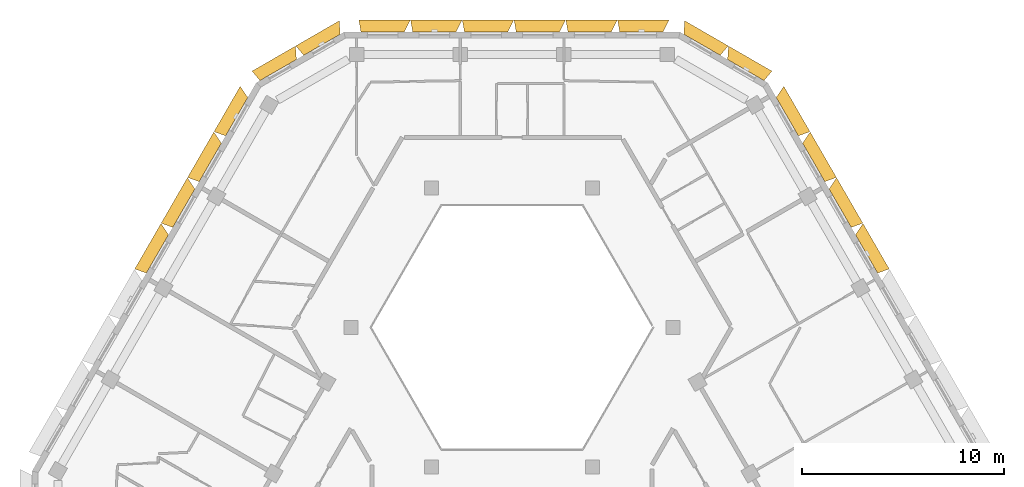
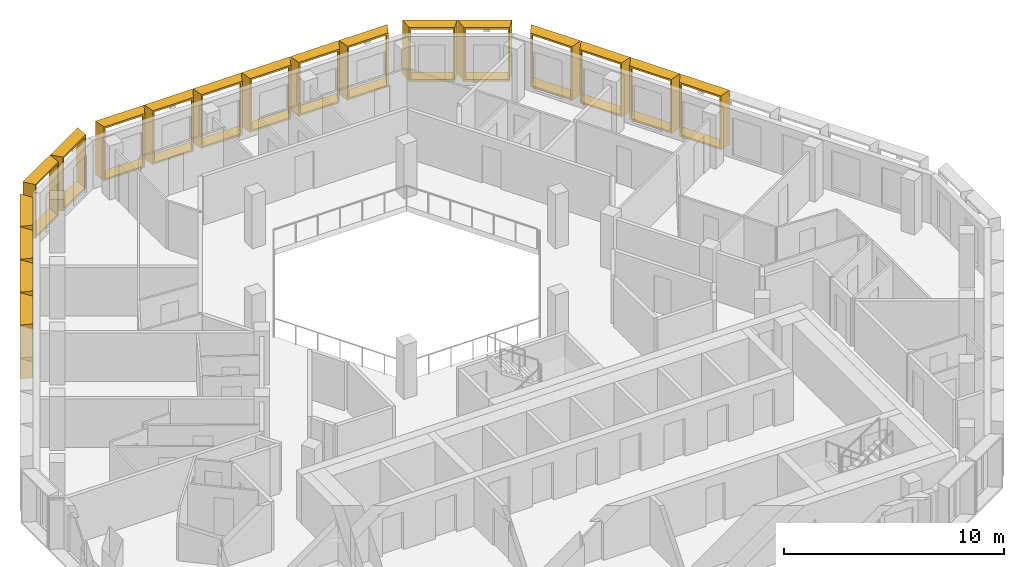
# One storey, part 16 of 16: 18 shading devices.
"""IFC4 building model written with IfcOpenShell, lengths in metres."""

from ifc_helpers import new_model, entity, si_unit, direction, frame, origin, place, context, subcontext, project, spatial, source, transform, mapped, material, type_object, type_shapes, element, save


model = new_model("IFC4")

# Units and contexts
model_context = context("Model", 3, precision=1e-05, world=origin(), true_north=direction((0.0, 1.0)))
body_context = subcontext(model_context, "Body", "Model", "MODEL_VIEW")
ifc_project = project(units=[si_unit("LENGTHUNIT", "METRE"), si_unit("AREAUNIT", "SQUARE_METRE"), si_unit("VOLUMEUNIT", "CUBIC_METRE"), si_unit("PLANEANGLEUNIT", "RADIAN"), si_unit("MASSUNIT", "GRAM", prefix="KILO")], contexts=[model_context])

# Site, building, storey
site_placement = place(None, origin())
site = spatial("IfcSite", under=ifc_project, at=site_placement, CompositionType="ELEMENT")
building_placement = place(site_placement, origin())
building = spatial("IfcBuilding", under=site, at=building_placement, Name="Beryl Residences", CompositionType="ELEMENT")
storey_placement = place(building_placement, frame((0.0, 0.0, 208.800048828125)))
storey = spatial("IfcBuildingStorey", under=building, at=storey_placement, Name="L64", CompositionType="ELEMENT", Elevation=208.800048828125)

# Shading devices
ifc_material_1 = material(Name="Aluminium pale anodised", Category="aluminium")
shading_device_type_1 = type_object("IfcShadingDeviceType", Name="FR250-60B OUTER SKIN frame 600 mm deep, splay 26/10 deg, 2500 x 3000 mm cell", PredefinedType="USERDEFINED", material=ifc_material_1)
cartesian_point_1 = entity("IfcCartesianPoint", [-1.04052734375, 0.0])
cartesian_point_2 = entity("IfcCartesianPoint", [-0.951416015625, 0.10009765625])
cartesian_point_3 = entity("IfcCartesianPoint", [-1.333251953125, 0.0])
cartesian_point_4 = entity("IfcCartesianPoint", [-1.244140625, 0.10009765625])
shared_shape_1 = source(origin(), body_context, "Body", "SweptSolid", [
    entity("IfcExtrudedAreaSolidTapered", entity("IfcArbitraryProfileDefWithVoids", "AREA", None, entity("IfcPolyline", [cartesian_point_1, entity("IfcCartesianPoint", [1.04052734375, 0.0]), entity("IfcCartesianPoint", [1.04052734375, 3.0]), entity("IfcCartesianPoint", [-1.04052734375, 3.0]), cartesian_point_1]), [entity("IfcPolyline", [cartesian_point_2, entity("IfcCartesianPoint", [0.959228515625, 0.10009765625]), entity("IfcCartesianPoint", [0.959228515625, 2.89990234375]), entity("IfcCartesianPoint", [-0.951416015625, 2.89990234375]), cartesian_point_2])]), entity("IfcAxis2Placement3D", entity("IfcCartesianPoint", [0.0, 0.0, 0.0]), entity("IfcDirection", [0.0, 1.0, 0.0]), entity("IfcDirection", [-1.0, 0.0, 0.0])), entity("IfcDirection", [0.0, 0.0, 1.0]), 0.60009765625, entity("IfcArbitraryProfileDefWithVoids", "AREA", None, entity("IfcPolyline", [cartesian_point_3, entity("IfcCartesianPoint", [1.146240234375, 0.0]), entity("IfcCartesianPoint", [1.146240234375, 3.0]), entity("IfcCartesianPoint", [-1.333251953125, 3.0]), cartesian_point_3]), [entity("IfcPolyline", [cartesian_point_4, entity("IfcCartesianPoint", [1.06494140625, 0.10009765625]), entity("IfcCartesianPoint", [1.06494140625, 2.89990234375]), entity("IfcCartesianPoint", [-1.244140625, 2.89990234375]), cartesian_point_4])])),
])
type_shapes(shading_device_type_1, [shared_shape_1])
for number, where, z_axis, x_axis, name in (
    (1, (-9.39599609375, 21.97509765625, 0.0), (0.0, 0.0, 1.0), (0.866025403784, 0.5, 0.0), "FR250-60B frame L64 N-NW 1"),
    (2, (-11.56103515625, 20.72509765625, 0.0), (0.0, 0.0, 1.0), (0.866025403784, 0.5, 0.0), "FR250-60B frame L64 N-NW 2"),
):
    element("IfcShadingDevice", number, at=place(storey_placement, frame(where, z_axis=z_axis, x_axis=x_axis)), inside=storey, type_object=shading_device_type_1, Name=name, ObjectType="OUTER SKIN", PredefinedType="USERDEFINED", context=body_context, shape_type="MappedRepresentation", body=[
        mapped(shared_shape_1, transform((0.0, 0.0, 0.0))),
    ])
ifc_material_2 = material(Name="Aluminium pale anodised", Category="aluminium")
shading_device_type_2 = type_object("IfcShadingDeviceType", Name="FR250-60C OUTER SKIN frame 600 mm deep, splay 10/26 deg, 2500 x 3000 mm cell", PredefinedType="USERDEFINED", material=ifc_material_2)
cartesian_point_5 = entity("IfcCartesianPoint", [-1.04052734375, 0.0])
cartesian_point_6 = entity("IfcCartesianPoint", [-0.959228515625, 0.10009765625])
cartesian_point_7 = entity("IfcCartesianPoint", [-1.146240234375, 0.0])
cartesian_point_8 = entity("IfcCartesianPoint", [-1.06494140625, 0.10009765625])
shared_shape_2 = source(origin(), body_context, "Body", "SweptSolid", [
    entity("IfcExtrudedAreaSolidTapered", entity("IfcArbitraryProfileDefWithVoids", "AREA", None, entity("IfcPolyline", [cartesian_point_5, entity("IfcCartesianPoint", [1.04052734375, 0.0]), entity("IfcCartesianPoint", [1.04052734375, 3.0]), entity("IfcCartesianPoint", [-1.04052734375, 3.0]), cartesian_point_5]), [entity("IfcPolyline", [cartesian_point_6, entity("IfcCartesianPoint", [0.951416015625, 0.10009765625]), entity("IfcCartesianPoint", [0.951416015625, 2.89990234375]), entity("IfcCartesianPoint", [-0.959228515625, 2.89990234375]), cartesian_point_6])]), entity("IfcAxis2Placement3D", entity("IfcCartesianPoint", [0.0, 0.0, 0.0]), entity("IfcDirection", [0.0, 1.0, 0.0]), entity("IfcDirection", [-1.0, 0.0, 0.0])), entity("IfcDirection", [0.0, 0.0, 1.0]), 0.60009765625, entity("IfcArbitraryProfileDefWithVoids", "AREA", None, entity("IfcPolyline", [cartesian_point_7, entity("IfcCartesianPoint", [1.333251953125, 0.0]), entity("IfcCartesianPoint", [1.333251953125, 3.0]), entity("IfcCartesianPoint", [-1.146240234375, 3.0]), cartesian_point_7]), [entity("IfcPolyline", [cartesian_point_8, entity("IfcCartesianPoint", [1.244140625, 0.10009765625]), entity("IfcCartesianPoint", [1.244140625, 2.89990234375]), entity("IfcCartesianPoint", [-1.06494140625, 2.89990234375]), cartesian_point_8])])),
])
type_shapes(shading_device_type_2, [shared_shape_2])
for number, where, z_axis, x_axis, name in (
    (3, (11.56103515625, 20.72509765625, 0.0), (0.0, 0.0, 1.0), (0.866025403784, -0.5, 0.0), "FR250-60C frame L64 NE-N 1"),
    (4, (9.39599609375, 21.97509765625, 0.0), (0.0, 0.0, 1.0), (0.866025403784, -0.5, 0.0), "FR250-60C frame L64 NE-N 2"),
):
    element("IfcShadingDevice", number, at=place(storey_placement, frame(where, z_axis=z_axis, x_axis=x_axis)), inside=storey, type_object=shading_device_type_2, Name=name, ObjectType="OUTER SKIN", PredefinedType="USERDEFINED", context=body_context, shape_type="MappedRepresentation", body=[
        mapped(shared_shape_2, transform((0.0, 0.0, 0.0))),
    ])
ifc_material_3 = material(Name="Aluminium pale anodised", Category="aluminium")
shading_device_type_3 = type_object("IfcShadingDeviceType", Name="FR256-60B OUTER SKIN frame 600 mm deep, splay 26/10 deg, 2560 x 3000 mm cell", PredefinedType="USERDEFINED", material=ifc_material_3)
cartesian_point_9 = entity("IfcCartesianPoint", [-1.070556640625, 0.0])
cartesian_point_10 = entity("IfcCartesianPoint", [-0.9814453125, 0.10009765625])
cartesian_point_11 = entity("IfcCartesianPoint", [-1.363037109375, 0.0])
cartesian_point_12 = entity("IfcCartesianPoint", [-1.274169921875, 0.10009765625])
shared_shape_3 = source(origin(), body_context, "Body", "SweptSolid", [
    entity("IfcExtrudedAreaSolidTapered", entity("IfcArbitraryProfileDefWithVoids", "AREA", None, entity("IfcPolyline", [cartesian_point_9, entity("IfcCartesianPoint", [1.070556640625, 0.0]), entity("IfcCartesianPoint", [1.070556640625, 3.0]), entity("IfcCartesianPoint", [-1.070556640625, 3.0]), cartesian_point_9]), [entity("IfcPolyline", [cartesian_point_10, entity("IfcCartesianPoint", [0.9892578125, 0.10009765625]), entity("IfcCartesianPoint", [0.9892578125, 2.89990234375]), entity("IfcCartesianPoint", [-0.9814453125, 2.89990234375]), cartesian_point_10])]), entity("IfcAxis2Placement3D", entity("IfcCartesianPoint", [0.0, 0.0, 0.0]), entity("IfcDirection", [0.0, 1.0, 0.0]), entity("IfcDirection", [-1.0, 0.0, 0.0])), entity("IfcDirection", [0.0, 0.0, 1.0]), 0.60009765625, entity("IfcArbitraryProfileDefWithVoids", "AREA", None, entity("IfcPolyline", [cartesian_point_11, entity("IfcCartesianPoint", [1.17626953125, 0.0]), entity("IfcCartesianPoint", [1.17626953125, 3.0]), entity("IfcCartesianPoint", [-1.363037109375, 3.0]), cartesian_point_11]), [entity("IfcPolyline", [cartesian_point_12, entity("IfcCartesianPoint", [1.094970703125, 0.10009765625]), entity("IfcCartesianPoint", [1.094970703125, 2.89990234375]), entity("IfcCartesianPoint", [-1.274169921875, 2.89990234375]), cartesian_point_12])])),
])
type_shapes(shading_device_type_3, [shared_shape_3])
for number, where, z_axis, x_axis, name in (
    (5, (6.39892578125, 22.60009765625, 0.0), (0.0, 0.0, 1.0), (1.0, 0.0, 0.0), "FR256-60B frame L64 N 1"),
    (6, (3.840087890625, 22.60009765625, 0.0), (0.0, 0.0, 1.0), (1.0, 0.0, 0.0), "FR256-60B frame L64 N 2"),
    (7, (1.280029296875, 22.60009765625, 0.0), (0.0, 0.0, 1.0), (1.0, 0.0, 0.0), "FR256-60B frame L64 N 3"),
    (8, (-1.279052734375, 22.60009765625, 0.0), (0.0, 0.0, 1.0), (1.0, 0.0, 0.0), "FR256-60B frame L64 N 4"),
    (9, (-3.839111328125, 22.60009765625, 0.0), (0.0, 0.0, 1.0), (1.0, 0.0, 0.0), "FR256-60B frame L64 N 5"),
    (10, (-6.39794921875, 22.60009765625, 0.0), (0.0, 0.0, 1.0), (1.0, 0.0, 0.0), "FR256-60B frame L64 N 6"),
):
    element("IfcShadingDevice", number, at=place(storey_placement, frame(where, z_axis=z_axis, x_axis=x_axis)), inside=storey, type_object=shading_device_type_3, Name=name, ObjectType="OUTER SKIN", PredefinedType="USERDEFINED", context=body_context, shape_type="MappedRepresentation", body=[
        mapped(shared_shape_3, transform((0.0, 0.0, 0.0))),
    ])
ifc_material_4 = material(Name="Aluminium pale anodised", Category="aluminium")
shading_device_type_4 = type_object("IfcShadingDeviceType", Name="FR261-60B OUTER SKIN frame 600 mm deep, splay 26/10 deg, 2610 x 3000 mm cell", PredefinedType="USERDEFINED", material=ifc_material_4)
cartesian_point_13 = entity("IfcCartesianPoint", [-1.095458984375, 0.0])
cartesian_point_14 = entity("IfcCartesianPoint", [-1.006591796875, 0.10009765625])
cartesian_point_15 = entity("IfcCartesianPoint", [-1.38818359375, 0.0])
cartesian_point_16 = entity("IfcCartesianPoint", [-1.299072265625, 0.10009765625])
shared_shape_4 = source(origin(), body_context, "Body", "SweptSolid", [
    entity("IfcExtrudedAreaSolidTapered", entity("IfcArbitraryProfileDefWithVoids", "AREA", None, entity("IfcPolyline", [cartesian_point_13, entity("IfcCartesianPoint", [1.095458984375, 0.0]), entity("IfcCartesianPoint", [1.095458984375, 3.0]), entity("IfcCartesianPoint", [-1.095458984375, 3.0]), cartesian_point_13]), [entity("IfcPolyline", [cartesian_point_14, entity("IfcCartesianPoint", [1.01416015625, 0.10009765625]), entity("IfcCartesianPoint", [1.01416015625, 2.89990234375]), entity("IfcCartesianPoint", [-1.006591796875, 2.89990234375]), cartesian_point_14])]), entity("IfcAxis2Placement3D", entity("IfcCartesianPoint", [0.0, 0.0, 0.0]), entity("IfcDirection", [0.0, 1.0, 0.0]), entity("IfcDirection", [-1.0, 0.0, 0.0])), entity("IfcDirection", [0.0, 0.0, 1.0]), 0.60009765625, entity("IfcArbitraryProfileDefWithVoids", "AREA", None, entity("IfcPolyline", [cartesian_point_15, entity("IfcCartesianPoint", [1.201416015625, 0.0]), entity("IfcCartesianPoint", [1.201416015625, 3.0]), entity("IfcCartesianPoint", [-1.38818359375, 3.0]), cartesian_point_15]), [entity("IfcPolyline", [cartesian_point_16, entity("IfcCartesianPoint", [1.1201171875, 0.10009765625]), entity("IfcCartesianPoint", [1.1201171875, 2.89990234375]), entity("IfcCartesianPoint", [-1.299072265625, 2.89990234375]), cartesian_point_16])])),
])
type_shapes(shading_device_type_4, [shared_shape_4])
for number, where, z_axis, x_axis, name in (
    (11, (-13.614013671875, 18.4189453125, 0.0), (0.0, 0.0, 1.0), (0.5, 0.866025403784, 0.0), "FR261-60B frame L64 NW 1"),
    (12, (-14.9208984375, 16.156005859375, 0.0), (0.0, 0.0, 1.0), (0.5, 0.866025403784, 0.0), "FR261-60B frame L64 NW 2"),
    (13, (-16.22705078125, 13.89404296875, 0.0), (0.0, 0.0, 1.0), (0.5, 0.866025403784, 0.0), "FR261-60B frame L64 NW 3"),
    (14, (-17.532958984375, 11.631103515625, 0.0), (0.0, 0.0, 1.0), (0.5, 0.866025403784, 0.0), "FR261-60B frame L64 NW 4"),
):
    element("IfcShadingDevice", number, at=place(storey_placement, frame(where, z_axis=z_axis, x_axis=x_axis)), inside=storey, type_object=shading_device_type_4, Name=name, ObjectType="OUTER SKIN", PredefinedType="USERDEFINED", context=body_context, shape_type="MappedRepresentation", body=[
        mapped(shared_shape_4, transform((0.0, 0.0, 0.0))),
    ])
ifc_material_5 = material(Name="Aluminium pale anodised", Category="aluminium")
shading_device_type_5 = type_object("IfcShadingDeviceType", Name="FR261-60C OUTER SKIN frame 600 mm deep, splay 10/26 deg, 2610 x 3000 mm cell", PredefinedType="USERDEFINED", material=ifc_material_5)
cartesian_point_17 = entity("IfcCartesianPoint", [-1.095458984375, 0.0])
cartesian_point_18 = entity("IfcCartesianPoint", [-1.01416015625, 0.10009765625])
cartesian_point_19 = entity("IfcCartesianPoint", [-1.201416015625, 0.0])
cartesian_point_20 = entity("IfcCartesianPoint", [-1.1201171875, 0.10009765625])
shared_shape_5 = source(origin(), body_context, "Body", "SweptSolid", [
    entity("IfcExtrudedAreaSolidTapered", entity("IfcArbitraryProfileDefWithVoids", "AREA", None, entity("IfcPolyline", [cartesian_point_17, entity("IfcCartesianPoint", [1.095458984375, 0.0]), entity("IfcCartesianPoint", [1.095458984375, 3.0]), entity("IfcCartesianPoint", [-1.095458984375, 3.0]), cartesian_point_17]), [entity("IfcPolyline", [cartesian_point_18, entity("IfcCartesianPoint", [1.006591796875, 0.10009765625]), entity("IfcCartesianPoint", [1.006591796875, 2.89990234375]), entity("IfcCartesianPoint", [-1.01416015625, 2.89990234375]), cartesian_point_18])]), entity("IfcAxis2Placement3D", entity("IfcCartesianPoint", [0.0, 0.0, 0.0]), entity("IfcDirection", [0.0, 1.0, 0.0]), entity("IfcDirection", [-1.0, 0.0, 0.0])), entity("IfcDirection", [0.0, 0.0, 1.0]), 0.60009765625, entity("IfcArbitraryProfileDefWithVoids", "AREA", None, entity("IfcPolyline", [cartesian_point_19, entity("IfcCartesianPoint", [1.38818359375, 0.0]), entity("IfcCartesianPoint", [1.38818359375, 3.0]), entity("IfcCartesianPoint", [-1.201416015625, 3.0]), cartesian_point_19]), [entity("IfcPolyline", [cartesian_point_20, entity("IfcCartesianPoint", [1.299072265625, 0.10009765625]), entity("IfcCartesianPoint", [1.299072265625, 2.89990234375]), entity("IfcCartesianPoint", [-1.1201171875, 2.89990234375]), cartesian_point_20])])),
])
type_shapes(shading_device_type_5, [shared_shape_5])
for number, where, z_axis, x_axis, name in (
    (15, (17.532958984375, 11.631103515625, 0.0), (0.0, 0.0, 1.0), (0.5, -0.866025403784, 0.0), "FR261-60C frame L64 NE 5"),
    (16, (16.22705078125, 13.89404296875, 0.0), (0.0, 0.0, 1.0), (0.5, -0.866025403784, 0.0), "FR261-60C frame L64 NE 6"),
    (17, (14.9208984375, 16.156005859375, 0.0), (0.0, 0.0, 1.0), (0.5, -0.866025403784, 0.0), "FR261-60C frame L64 NE 7"),
    (18, (13.614013671875, 18.4189453125, 0.0), (0.0, 0.0, 1.0), (0.5, -0.866025403784, 0.0), "FR261-60C frame L64 NE 8"),
):
    element("IfcShadingDevice", number, at=place(storey_placement, frame(where, z_axis=z_axis, x_axis=x_axis)), inside=storey, type_object=shading_device_type_5, Name=name, ObjectType="OUTER SKIN", PredefinedType="USERDEFINED", context=body_context, shape_type="MappedRepresentation", body=[
        mapped(shared_shape_5, transform((0.0, 0.0, 0.0))),
    ])

save(model, "model.ifc")
